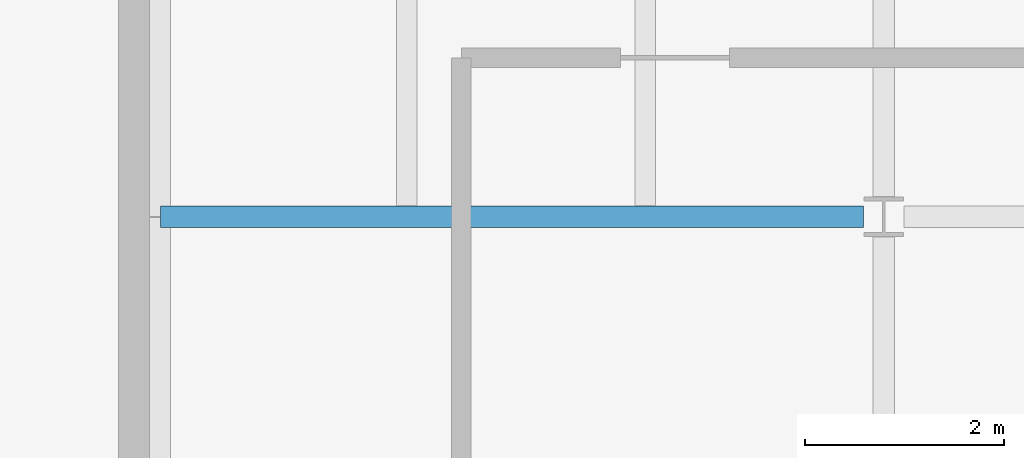
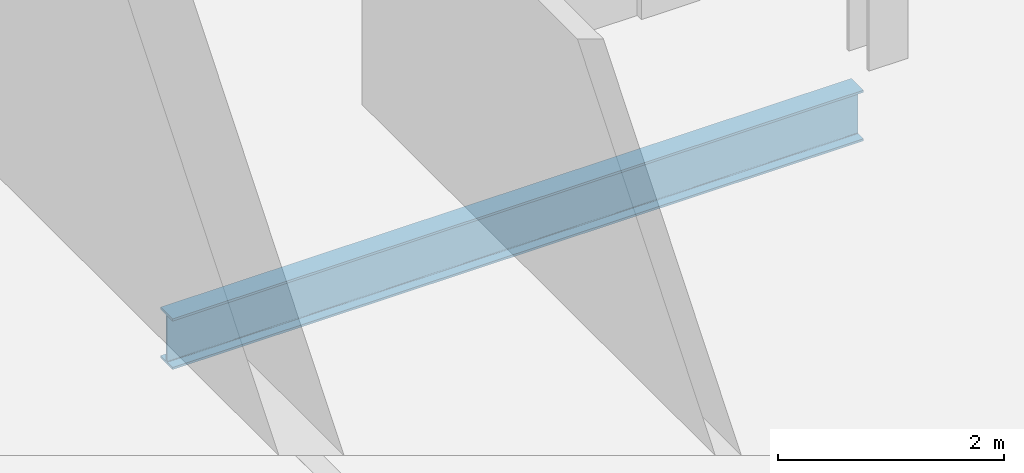
# One storey, part 5 of 15: 1 beam.
"""IFC4 building model written with IfcOpenShell, lengths in metres."""

from ifc_helpers import new_model, si_unit, direction, frame, origin, origin_2d, place, context, subcontext, project, spatial, i_section, extrude, material, material_profile, profile_set, type_object, element, save


model = new_model("IFC4")

# Units and contexts
model_context = context("Model", 3, precision=1e-05, world=origin(), true_north=direction((0.0, 1.0)))
body_context = subcontext(model_context, "Body", "Model", "MODEL_VIEW")
ifc_project = project(units=[si_unit("LENGTHUNIT", "METRE"), si_unit("AREAUNIT", "SQUARE_METRE"), si_unit("VOLUMEUNIT", "CUBIC_METRE"), si_unit("PLANEANGLEUNIT", "RADIAN"), si_unit("MASSUNIT", "GRAM", prefix="KILO")], contexts=[model_context])

# Site, building, storey
site_placement = place(None, origin())
site = spatial("IfcSite", under=ifc_project, at=site_placement, CompositionType="ELEMENT")
building_placement = place(site_placement, origin())
building = spatial("IfcBuilding", under=site, at=building_placement, Name="Cobrela Telecom Tower", CompositionType="ELEMENT")
storey_placement = place(building_placement, frame((0.0, 0.0, 297.5)))
storey = spatial("IfcBuildingStorey", under=building, at=storey_placement, Name="L78", CompositionType="ELEMENT", Elevation=297.5)

# Beam
ifc_material = material(Name="Steel ASTM A992 Grade 50", Category="steel")
ifc_material_profile = material_profile(ifc_material, i_section(OverallWidth=0.212890625, OverallDepth=0.549072265625, WebThickness=0.0146484375, FlangeThickness=0.023681640625, FilletRadius=0.013916015625, at=origin_2d()), Name="W21X93")
ifc_profile_set = profile_set([ifc_material_profile], Name="Steel ASTM A992 Grade 50")
beam_type = type_object("IfcBeamType", Name="BM-GIRD-08", PredefinedType="USERDEFINED", material=ifc_profile_set)
beam_placement = place(storey_placement, frame((14.324951171875, 14.39990234375, -0.534423828125), z_axis=(1.0, 0.0, 0.0), x_axis=(0.0, 1.0, 0.0)))
element("IfcBeam", 1, at=beam_placement, inside=storey, type_object=beam_type, Name="L78 Primary Girder X03", ObjectType="GIRDER", PredefinedType="USERDEFINED", context=body_context, shape_type="SweptSolid", body=[
    extrude(i_section(OverallWidth=0.212890625, OverallDepth=0.549072265625, WebThickness=0.0146484375, FlangeThickness=0.023681640625, FilletRadius=0.013916015625, at=origin_2d()), origin(), (0.0, 0.0, 1.0), 7.070556640625),
])

save(model, "model.ifc")
